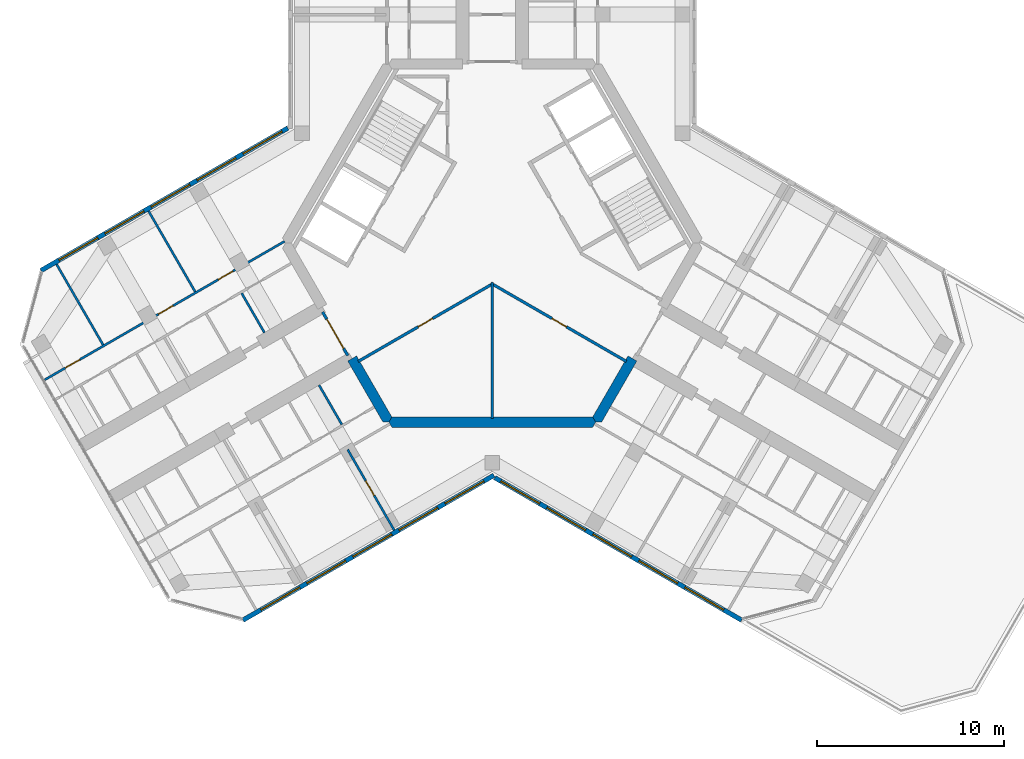
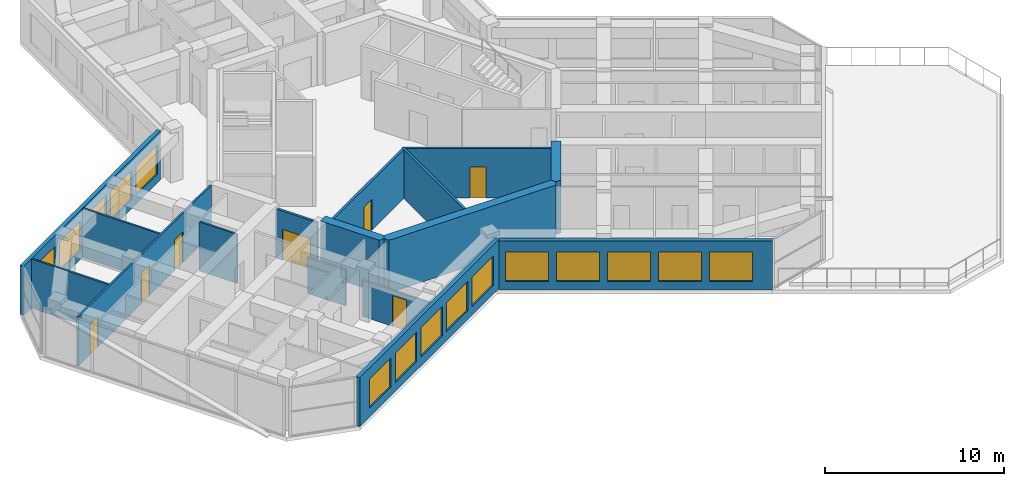
# One storey, part 8 of 14: 16 walls, 15 windows, 7 doors, 22 openings.
"""IFC4 building model written with IfcOpenShell, lengths in metres."""

import ifcopenshell
import ifcopenshell.guid

model = None  # the IFC model being written
_history = None  # IfcOwnerHistory: only IFC2X3 demands one
_inside = {}  # id of a spatial element -> (the spatial element, [elements in it])
_under = {}  # id of a project, library or spatial element -> (it, [spatial elements below it])
_declared = {}  # id of a project -> (the project, [libraries it declares])
_typed = {}  # id of a type object -> (the type object, [elements of that type])
_made_of = {}  # id of a material, layer set ... -> (it, [elements and type objects made of it])


def new_model(schema):
    """Start an empty IFC model of exactly this schema.

    Asked for "IFC4X3", IfcOpenShell would pick the latest addendum, in which some entities
    have other attributes; the version numbers below select the first issue.
    IFC2X3 requires an IfcOwnerHistory on every rooted entity: one is made here for all.
    """
    global model, _history
    if schema == "IFC4X3":
        model = ifcopenshell.file(schema_version=(4, 3, 0, 0))
    else:
        model = ifcopenshell.file(schema=schema)
    _inside.clear()
    _under.clear()
    _declared.clear()
    _typed.clear()
    _made_of.clear()
    _history = None
    if model.schema == "IFC2X3":
        org = make("IfcOrganization", Name="unknown")
        user = make(
            "IfcPersonAndOrganization",
            ThePerson=make("IfcPerson", FamilyName="unknown"),
            TheOrganization=org,
        )
        app = make(
            "IfcApplication",
            ApplicationDeveloper=org,
            Version="unknown",
            ApplicationFullName="unknown",
            ApplicationIdentifier="unknown",
        )
        _history = make(
            "IfcOwnerHistory",
            OwningUser=user,
            OwningApplication=app,
            ChangeAction="ADDED",
            CreationDate=0,
        )
    return model


def make(cls, **values):
    """One entity of the class cls with the attributes given. An attribute that is None is left unset."""
    return model.create_entity(
        cls, **{name: value for name, value in values.items() if value is not None}
    )


def rooted(cls, **values):
    """An entity with a GlobalId (a new one), such as an element, a storey or a relation."""
    return make(cls, GlobalId=ifcopenshell.guid.new(), OwnerHistory=_history, **values)


def si_unit(unit_type, name, prefix=None):
    """IfcSIUnit, for example si_unit("LENGTHUNIT", "METRE", prefix="MILLI")."""
    return make("IfcSIUnit", UnitType=unit_type, Prefix=prefix, Name=name)


def assignment(units):
    """IfcUnitAssignment: the units of a project."""
    return None if units is None else make("IfcUnitAssignment", Units=units)


def point(xyz):
    """IfcCartesianPoint."""
    return None if xyz is None else make("IfcCartesianPoint", Coordinates=xyz)


def direction(xyz):
    """IfcDirection."""
    return None if xyz is None else make("IfcDirection", DirectionRatios=xyz)


def frame(location, z_axis=None, x_axis=None):
    """IfcAxis2Placement3D, a coordinate frame: its origin and axes. An axis left out is left unset."""
    return make(
        "IfcAxis2Placement3D",
        Location=point(location),
        Axis=direction(z_axis),
        RefDirection=direction(x_axis),
    )


def frame_2d(location, x_axis=None):
    """IfcAxis2Placement2D, a coordinate frame in the plane: its origin and x axis."""
    return make(
        "IfcAxis2Placement2D", Location=point(location), RefDirection=direction(x_axis)
    )


def origin():
    """The frame at (0, 0, 0) with its axes left unset."""
    return frame((0.0, 0.0, 0.0))


def place(relative_to, where):
    """IfcLocalPlacement: puts the frame where relative to a parent placement (None: the world)."""
    return make(
        "IfcLocalPlacement", PlacementRelTo=relative_to, RelativePlacement=where
    )


def context(
    kind, dimensions, precision=None, world=None, true_north=None, identifier=None
):
    """IfcGeometricRepresentationContext, for example the 3D "Model" context."""
    return make(
        "IfcGeometricRepresentationContext",
        ContextIdentifier=identifier,
        ContextType=kind,
        CoordinateSpaceDimension=dimensions,
        Precision=precision,
        WorldCoordinateSystem=world,
        TrueNorth=true_north,
    )


def subcontext(parent, identifier, kind, view, scale=None):
    """IfcGeometricRepresentationSubContext, for example "Body" below "Model"."""
    return make(
        "IfcGeometricRepresentationSubContext",
        ContextIdentifier=identifier,
        ContextType=kind,
        ParentContext=parent,
        TargetScale=scale,
        TargetView=view,
    )


def project(units=None, contexts=None):
    """IfcProject with its units and contexts."""
    return rooted(
        "IfcProject",
        Name="project",
        RepresentationContexts=contexts,
        UnitsInContext=assignment(units),
    )


def spatial(cls, under=None, at=None, **own):
    """A site, building, storey or space (cls), placed at a placement, below another one or the project."""
    s = rooted(cls, ObjectPlacement=at, **own)
    if under is not None:
        _under.setdefault(under.id(), (under, []))[1].append(s)
    return s


def polyline(points):
    """IfcPolyline through the points."""
    return make("IfcPolyline", Points=[point(p) for p in points])


def profile(cls, at=None, kind="AREA", **sizes):
    """A parametric profile (cls). Its sizes go by their IFC names, for example OverallWidth=200.0."""
    return make(cls, ProfileType=kind, Position=at, **sizes)


def rectangle(**sizes):
    """IfcRectangleProfileDef."""
    return profile("IfcRectangleProfileDef", **sizes)


def outline(outer, holes=None, kind="AREA"):
    """IfcArbitraryClosedProfileDef: a profile drawn as a closed curve; with holes, ...WithVoids."""
    if holes is None:
        return make("IfcArbitraryClosedProfileDef", ProfileType=kind, OuterCurve=outer)
    return make(
        "IfcArbitraryProfileDefWithVoids",
        ProfileType=kind,
        OuterCurve=outer,
        InnerCurves=holes,
    )


def extrude(swept, where, along, depth):
    """IfcExtrudedAreaSolid: the profile swept, set in the frame where, extruded along a direction by depth."""
    return make(
        "IfcExtrudedAreaSolid",
        SweptArea=swept,
        Position=where,
        ExtrudedDirection=direction(along),
        Depth=depth,
    )


def shape(context_of_items, identifier, shape_type, items):
    """IfcShapeRepresentation: the items that make up one representation, for example the "Body"."""
    return make(
        "IfcShapeRepresentation",
        ContextOfItems=context_of_items,
        RepresentationIdentifier=identifier,
        RepresentationType=shape_type,
        Items=items,
    )


def material(Name=None, Category=None):
    """IfcMaterial."""
    return make("IfcMaterial", Name=Name, Category=Category)


def layer(
    of_material, thickness, ventilated=None, Name=None, Category=None, Priority=None
):
    """IfcMaterialLayer: one layer of a wall or slab, of a material (None: an air gap)."""
    return make(
        "IfcMaterialLayer",
        Material=of_material,
        LayerThickness=thickness,
        IsVentilated=ventilated,
        Name=Name,
        Category=Category,
        Priority=Priority,
    )


def layer_set(layers, Name=None):
    """IfcMaterialLayerSet."""
    return make("IfcMaterialLayerSet", MaterialLayers=layers, LayerSetName=Name)


def made_of(thing, what):
    """Note that an element or type object is made of a material, layer set ...; save() writes the relation."""
    if what is not None:
        _made_of.setdefault(what.id(), (what, []))[1].append(thing)
    return thing


def type_object(cls, material=None, **own):
    """A type object (cls), such as IfcWallType, which elements share."""
    return made_of(rooted(cls, **own), material)


def element(
    cls,
    number,
    at=None,
    inside=None,
    cuts=None,
    type_object=None,
    material=None,
    context=None,
    identifier="Body",
    shape_type=None,
    held_by="IfcProductDefinitionShape",
    body=None,
    shapes=None,
    **own,
):
    """One element of the class cls, such as IfcWall. Its Tag is "e" and its number.

    at: its placement. inside: the storey or other place that contains it. cuts: it is an
    opening in that element (IfcRelVoidsElement). A single representation is given by context,
    identifier, shape_type and body (its items); several are given by shapes. held_by: the class
    of the entity that holds the representations. save() writes the other relations.
    """
    e = rooted(cls, Tag="e%d" % number, ObjectPlacement=at, **own)
    if body is not None:
        shapes = [shape(context, identifier, shape_type, body)]
    if shapes is not None:
        e.Representation = make(held_by, Representations=shapes)
    if inside is not None:
        _inside.setdefault(inside.id(), (inside, []))[1].append(e)
    if cuts is not None:
        rooted(
            "IfcRelVoidsElement", RelatingBuildingElement=cuts, RelatedOpeningElement=e
        )
    if type_object is not None:
        _typed.setdefault(type_object.id(), (type_object, []))[1].append(e)
    return made_of(e, material)


def fill(opening, filler):
    """IfcRelFillsElement: the door or window that sits in an opening."""
    return rooted(
        "IfcRelFillsElement",
        RelatingOpeningElement=opening,
        RelatedBuildingElement=filler,
    )


def aggregate(whole, parts):
    """IfcRelAggregates: a whole, such as a stair, and the parts it consists of."""
    return rooted("IfcRelAggregates", RelatingObject=whole, RelatedObjects=parts)


def save(model, path):
    """Write the relations noted so far, then the file.

    IfcRelAggregates (storeys below a building ...), IfcRelContainedInSpatialStructure (elements
    in a storey), IfcRelDefinesByType, IfcRelAssociatesMaterial and IfcRelDeclares: one each for
    every whole, place, type object, material and project.
    """
    for whole, parts in _under.values():
        aggregate(whole, parts)
    for where, things in _inside.values():
        rooted(
            "IfcRelContainedInSpatialStructure",
            RelatedElements=things,
            RelatingStructure=where,
        )
    for kind, things in _typed.values():
        rooted("IfcRelDefinesByType", RelatedObjects=things, RelatingType=kind)
    for what, things in _made_of.values():
        rooted("IfcRelAssociatesMaterial", RelatedObjects=things, RelatingMaterial=what)
    for by, libraries in _declared.values():
        rooted("IfcRelDeclares", RelatingContext=by, RelatedDefinitions=libraries)
    model.write(path)


model = new_model("IFC4")

# Units and contexts
model_context = context("Model", 3, precision=1e-05, world=origin(), true_north=direction((0.0, 1.0)))
body_context = subcontext(model_context, "Body", "Model", "MODEL_VIEW")
ifc_project = project(units=[si_unit("LENGTHUNIT", "METRE"), si_unit("AREAUNIT", "SQUARE_METRE"), si_unit("VOLUMEUNIT", "CUBIC_METRE"), si_unit("PLANEANGLEUNIT", "RADIAN"), si_unit("MASSUNIT", "GRAM", prefix="KILO")], contexts=[model_context])

# Site, building, storey
site_placement = place(None, origin())
site = spatial("IfcSite", under=ifc_project, at=site_placement, CompositionType="ELEMENT")
building_placement = place(site_placement, origin())
building = spatial("IfcBuilding", under=site, at=building_placement, Name="Kosmar Iwan School Tower", CompositionType="ELEMENT")
storey_placement = place(building_placement, frame((0.0, 0.0, 267.39990234375)))
storey = spatial("IfcBuildingStorey", under=building, at=storey_placement, Name="L67", CompositionType="ELEMENT", Elevation=267.39990234375)

# Wall
ifc_material_1 = material(Name="Gypsum board on steel studs, fire-rated", Category="steel")
ifc_layer_1 = layer(ifc_material_1, 0.14990234375)
ifc_layer_set_1 = layer_set([ifc_layer_1], Name="Core room partition 150")
wall_type_1 = type_object("IfcWallType", Name="Core room partition 150", PredefinedType="PARTITIONING", material=ifc_layer_set_1)
wall_1_placement = place(storey_placement, frame((0.0, -9.39501953125, 0.0), z_axis=(0.0, 0.0, 1.0), x_axis=(0.0, 1.0, 0.0)))
element("IfcWall", 1, at=wall_1_placement, inside=storey, type_object=wall_type_1, Name="Core room partition L67-CW5", PredefinedType="PARTITIONING", context=body_context, shape_type="SweptSolid", body=[
    extrude(rectangle(XDim=7.276123046875, YDim=0.14990234375, at=frame_2d((3.63818359375, 0.0))), origin(), (0.0, 0.0, 1.0), 3.35009765625),
])

# Wall, opening, door
wall_2_placement = place(storey_placement, frame((-0.06494140625, -2.156494140625, 0.0), z_axis=(0.0, 0.0, 1.0), x_axis=(0.866023893041, -0.500002616675, 0.0)))
wall_2 = element("IfcWall", 2, at=wall_2_placement, inside=storey, type_object=wall_type_1, Name="Core room partition L67-CW6", PredefinedType="PARTITIONING", context=body_context, shape_type="SweptSolid", body=[
    extrude(rectangle(XDim=8.373046875, YDim=0.14990234375, at=frame_2d((4.1865234375, 0.0))), origin(), (0.0, 0.0, 1.0), 3.35009765625),
])
opening_1_placement = place(wall_2_placement, frame((3.77197265625, 0.0, 0.0)))
opening_1 = element("IfcOpeningElement", 3, at=opening_1_placement, cuts=wall_2, Name="Opening D14", PredefinedType="OPENING", context=body_context, shape_type="SweptSolid", body=[
    extrude(rectangle(XDim=0.89990234375, YDim=2.10009765625, at=frame_2d((0.449951171875, 1.050048828125))), frame((0.0, 0.0869140625, 0.0), z_axis=(0.0, -1.0, 0.0), x_axis=(1.0, 0.0, 0.0)), (0.0, 0.0, 1.0), 0.173828125),
])
ifc_material_2 = material(Name="Timber fire door in steel frame", Category="steel")
door_type_1 = type_object("IfcDoorType", Name="Core room door 900x2100", OperationType="SINGLE_SWING_LEFT", PredefinedType="DOOR", material=ifc_material_2)
door_1_placement = place(opening_1_placement, origin())
door_1 = element("IfcDoor", 4, at=door_1_placement, inside=storey, type_object=door_type_1, Name="Residents' laundry room door L67 3", OperationType="SINGLE_SWING_RIGHT", OverallHeight=2.10009765625, OverallWidth=0.89990234375, PredefinedType="DOOR", context=body_context, shape_type="SweptSolid", body=[
    extrude(rectangle(XDim=0.89990234375, YDim=2.10009765625, at=frame_2d((0.449951171875, 1.050048828125))), frame((0.0, 0.02490234375, 0.0), z_axis=(0.0, -1.0, 0.0), x_axis=(1.0, 0.0, 0.0)), (0.0, 0.0, 1.0), 0.050048828125),
])
fill(opening_1, door_1)

wall_3_placement = place(storey_placement, frame((-7.186279296875, -6.343017578125, 0.0), z_axis=(0.0, 0.0, 1.0), x_axis=(0.866023893041, 0.500002616675, 0.0)))
wall_3 = element("IfcWall", 5, at=wall_3_placement, inside=storey, type_object=wall_type_1, Name="Core room partition L67-CW7", PredefinedType="PARTITIONING", context=body_context, shape_type="SweptSolid", body=[
    extrude(rectangle(XDim=8.373046875, YDim=0.14990234375, at=frame_2d((4.1865234375, 0.0))), origin(), (0.0, 0.0, 1.0), 3.35009765625),
])
opening_2_placement = place(wall_3_placement, frame((3.701904296875, 0.0, 0.0)))
opening_2 = element("IfcOpeningElement", 6, at=opening_2_placement, cuts=wall_3, Name="Opening D14", PredefinedType="OPENING", context=body_context, shape_type="SweptSolid", body=[
    extrude(rectangle(XDim=0.89990234375, YDim=2.10009765625, at=frame_2d((0.449951171875, 1.050048828125))), frame((0.0, 0.0869140625, 0.0), z_axis=(0.0, -1.0, 0.0), x_axis=(1.0, 0.0, 0.0)), (0.0, 0.0, 1.0), 0.173828125),
])
door_2_placement = place(opening_2_placement, origin())
door_2 = element("IfcDoor", 7, at=door_2_placement, inside=storey, type_object=door_type_1, Name="Parcel room door L67 4", OperationType="SINGLE_SWING_LEFT", OverallHeight=2.10009765625, OverallWidth=0.89990234375, PredefinedType="DOOR", context=body_context, shape_type="SweptSolid", body=[
    extrude(rectangle(XDim=0.89990234375, YDim=2.10009765625, at=frame_2d((0.449951171875, 1.050048828125))), frame((0.0, 0.02490234375, 0.0), z_axis=(0.0, -1.0, 0.0), x_axis=(1.0, 0.0, 0.0)), (0.0, 0.0, 1.0), 0.050048828125),
])
fill(opening_2, door_2)

# Walls
ifc_material_3 = material(Name="Concrete C50/60", Category="concrete")
ifc_layer_2 = layer(ifc_material_3, 0.550048828125)
ifc_layer_set_2 = layer_set([ifc_layer_2], Name="Core wall 550")
wall_type_2 = type_object("IfcWallType", Name="Core wall 550", PredefinedType="SHEAR", material=ifc_layer_set_2)
wall_4_placement = place(storey_placement, origin())
element("IfcWall", 8, at=wall_4_placement, inside=storey, type_object=wall_type_2, Name="Core wall F210b", PredefinedType="SHEAR", context=body_context, shape_type="SweptSolid", body=[
    extrude(outline(polyline([(-5.860107421875, -9.60009765625), (-5.54248046875, -9.60009765625), (-5.3837890625, -9.324951171875), (-7.275634765625, -6.048095703125), (-7.751953125, -6.3232421875), (-5.860107421875, -9.60009765625)])), origin(), (0.0, 0.0, 1.0), 3.60009765625),
])
wall_5_placement = place(storey_placement, origin())
element("IfcWall", 9, at=wall_5_placement, inside=storey, type_object=wall_type_2, Name="Core wall F270", PredefinedType="SHEAR", context=body_context, shape_type="SweptSolid", body=[
    extrude(outline(polyline([(-5.3837890625, -9.875), (5.3837890625, -9.875), (5.54248046875, -9.60009765625), (5.3837890625, -9.324951171875), (-5.3837890625, -9.324951171875), (-5.54248046875, -9.60009765625), (-5.3837890625, -9.875)])), origin(), (0.0, 0.0, 1.0), 3.60009765625),
])
wall_6_placement = place(storey_placement, origin())
element("IfcWall", 10, at=wall_6_placement, inside=storey, type_object=wall_type_2, Name="Core wall F330a", PredefinedType="SHEAR", context=body_context, shape_type="SweptSolid", body=[
    extrude(outline(polyline([(5.54248046875, -9.60009765625), (5.860107421875, -9.60009765625), (7.751953125, -6.3232421875), (7.275634765625, -6.048095703125), (5.3837890625, -9.324951171875), (5.54248046875, -9.60009765625)])), origin(), (0.0, 0.0, 1.0), 3.60009765625),
])

# Wall, opening, door
ifc_material_4 = material(Name="Steel framed glazed screen", Category="steel")
ifc_layer_3 = layer(ifc_material_4, 0.14990234375)
ifc_layer_set_3 = layer_set([ifc_layer_3], Name="Corridor screen wall 150")
wall_type_3 = type_object("IfcWallType", Name="Corridor screen wall 150", PredefinedType="PARTITIONING", material=ifc_layer_set_3)
wall_7_placement = place(storey_placement, frame((-9.09716796875, -3.693359375, 0.0), z_axis=(0.0, 0.0, 1.0), x_axis=(0.50000943426, -0.866019956843, 0.0)))
wall_7 = element("IfcWall", 11, at=wall_7_placement, inside=storey, type_object=wall_type_3, Name="Corridor screen B L67", PredefinedType="PARTITIONING", context=body_context, shape_type="SweptSolid", body=[
    extrude(rectangle(XDim=2.7001953125, YDim=0.14990234375, at=frame_2d((1.35009765625, 0.0))), origin(), (0.0, 0.0, 1.0), 3.35009765625),
])
opening_3_placement = place(wall_7_placement, frame((0.449951171875, 0.0, 0.0)))
opening_3 = element("IfcOpeningElement", 12, at=opening_3_placement, cuts=wall_7, Name="Opening D9", PredefinedType="OPENING", context=body_context, shape_type="SweptSolid", body=[
    extrude(rectangle(XDim=1.800048828125, YDim=2.10009765625, at=frame_2d((0.89990234375, 1.050048828125))), frame((0.0, 0.0869140625, 0.0), z_axis=(0.0, -1.0, 0.0), x_axis=(1.0, 0.0, 0.0)), (0.0, 0.0, 1.0), 0.173828125),
])
ifc_material_5 = material(Name="Steel framed glazed smoke door", Category="steel")
door_type_2 = type_object("IfcDoorType", Name="Corridor smoke door pair 1800x2100", OperationType="DOUBLE_DOOR_DOUBLE_SWING", PredefinedType="DOOR", material=ifc_material_5)
door_3_placement = place(opening_3_placement, origin())
door_3 = element("IfcDoor", 13, at=door_3_placement, inside=storey, type_object=door_type_2, Name="Corridor doors B L67", OperationType="DOUBLE_DOOR_DOUBLE_SWING", OverallHeight=2.10009765625, OverallWidth=1.800048828125, PredefinedType="DOOR", context=body_context, shape_type="SweptSolid", body=[
    extrude(rectangle(XDim=1.800048828125, YDim=2.10009765625, at=frame_2d((0.89990234375, 1.050048828125))), frame((0.0, 0.02490234375, 0.0), z_axis=(0.0, -1.0, 0.0), x_axis=(1.0, 0.0, 0.0)), (0.0, 0.0, 1.0), 0.050048828125),
])
fill(opening_3, door_3)

ifc_material_6 = material(Name="Gypsum board on steel studs", Category="steel")
ifc_layer_4 = layer(ifc_material_6, 0.1201171875)
ifc_layer_set_4 = layer_set([ifc_layer_4], Name="Dwelling partition 120")
wall_type_4 = type_object("IfcWallType", Name="Dwelling partition 120", PredefinedType="PARTITIONING", material=ifc_layer_set_4)
wall_8_placement = place(storey_placement, frame((-7.75390625, -11.070068359375, 0.0), z_axis=(0.0, 0.0, 1.0), x_axis=(0.500011847778, -0.866018563358, 0.0)))
wall_8 = element("IfcWall", 14, at=wall_8_placement, inside=storey, type_object=wall_type_4, Name="Partition L67-BL1-X1", PredefinedType="PARTITIONING", context=body_context, shape_type="SweptSolid", body=[
    extrude(rectangle(XDim=4.990234375, YDim=0.1201171875, at=frame_2d((2.4951171875, 0.0))), origin(), (0.0, 0.0, 1.0), 2.4501953125),
])
opening_4_placement = place(wall_8_placement, frame((1.93994140625, 0.0, 0.0)))
opening_4 = element("IfcOpeningElement", 15, at=opening_4_placement, cuts=wall_8, Name="Opening D2", PredefinedType="OPENING", context=body_context, shape_type="SweptSolid", body=[
    extrude(rectangle(XDim=0.89990234375, YDim=2.10009765625, at=frame_2d((0.449951171875, 1.050048828125))), frame((0.0, 0.072021484375, 0.0), z_axis=(0.0, -1.0, 0.0), x_axis=(1.0, 0.0, 0.0)), (0.0, 0.0, 1.0), 0.14404296875),
])
ifc_material_7 = material(Name="Timber door in timber frame", Category="wood")
door_type_3 = type_object("IfcDoorType", Name="Internal door 900x2100", OperationType="SINGLE_SWING_LEFT", PredefinedType="DOOR", material=ifc_material_7)
door_4_placement = place(opening_4_placement, origin())
door_4 = element("IfcDoor", 16, at=door_4_placement, inside=storey, type_object=door_type_3, Name="Kitchen and dining room door L67-BL1-F1", OperationType="SINGLE_SWING_LEFT", OverallHeight=2.10009765625, OverallWidth=0.89990234375, PredefinedType="DOOR", context=body_context, shape_type="SweptSolid", body=[
    extrude(rectangle(XDim=0.89990234375, YDim=2.10009765625, at=frame_2d((0.449951171875, 1.050048828125))), frame((0.0, 0.02490234375, 0.0), z_axis=(0.0, -1.0, 0.0), x_axis=(1.0, 0.0, 0.0)), (0.0, 0.0, 1.0), 0.050048828125),
])
fill(opening_4, door_4)

# Wall
wall_9_placement = place(storey_placement, frame((-9.287353515625, -7.61376953125, 0.0), z_axis=(0.0, 0.0, 1.0), x_axis=(0.500002508028, -0.866023955769, 0.0)))
element("IfcWall", 17, at=wall_9_placement, inside=storey, type_object=wall_type_4, Name="Partition L67-BL1-Y1", PredefinedType="PARTITIONING", context=body_context, shape_type="SweptSolid", body=[
    extrude(rectangle(XDim=2.43994140625, YDim=0.1201171875, at=frame_2d((1.219970703125, 0.0))), origin(), (0.0, 0.0, 1.0), 2.4501953125),
])

# Wall, openings, doors
wall_10_placement = place(storey_placement, frame((-11.138916015625, 0.093017578125, 0.0), z_axis=(0.0, 0.0, 1.0), x_axis=(-0.866030301974, -0.499991515992, 0.0)))
wall_10 = element("IfcWall", 18, at=wall_10_placement, inside=storey, type_object=wall_type_4, Name="Partition L67-BR1-W2", PredefinedType="PARTITIONING", context=body_context, shape_type="SweptSolid", body=[
    extrude(rectangle(XDim=14.844970703125, YDim=0.1201171875, at=frame_2d((7.42236328125, 0.0))), origin(), (0.0, 0.0, 1.0), 3.35009765625),
])
opening_5_placement = place(wall_10_placement, frame((3.199951171875, 0.0, 0.0)))
opening_5 = element("IfcOpeningElement", 19, at=opening_5_placement, cuts=wall_10, Name="Opening D2", PredefinedType="OPENING", context=body_context, shape_type="SweptSolid", body=[
    extrude(rectangle(XDim=0.89990234375, YDim=2.10009765625, at=frame_2d((0.449951171875, 1.050048828125))), frame((0.0, 0.072021484375, 0.0), z_axis=(0.0, -1.0, 0.0), x_axis=(1.0, 0.0, 0.0)), (0.0, 0.0, 1.0), 0.14404296875),
])
opening_6_placement = place(wall_10_placement, frame((6.89990234375, 0.0, 0.0)))
opening_6 = element("IfcOpeningElement", 20, at=opening_6_placement, cuts=wall_10, Name="Opening D2", PredefinedType="OPENING", context=body_context, shape_type="SweptSolid", body=[
    extrude(rectangle(XDim=0.89990234375, YDim=2.10009765625, at=frame_2d((0.449951171875, 1.050048828125))), frame((0.0, 0.072021484375, 0.0), z_axis=(0.0, -1.0, 0.0), x_axis=(1.0, 0.0, 0.0)), (0.0, 0.0, 1.0), 0.14404296875),
])
opening_7_placement = place(wall_10_placement, frame((12.675048828125, 0.0, 0.0)))
opening_7 = element("IfcOpeningElement", 21, at=opening_7_placement, cuts=wall_10, Name="Opening D2", PredefinedType="OPENING", context=body_context, shape_type="SweptSolid", body=[
    extrude(rectangle(XDim=0.89990234375, YDim=2.10009765625, at=frame_2d((0.449951171875, 1.050048828125))), frame((0.0, 0.072021484375, 0.0), z_axis=(0.0, -1.0, 0.0), x_axis=(1.0, 0.0, 0.0)), (0.0, 0.0, 1.0), 0.14404296875),
])
door_5_placement = place(opening_5_placement, origin())
door_5 = element("IfcDoor", 22, at=door_5_placement, inside=storey, type_object=door_type_3, Name="Dining room door L67-BR1-F1", OperationType="SINGLE_SWING_LEFT", OverallHeight=2.10009765625, OverallWidth=0.89990234375, PredefinedType="DOOR", context=body_context, shape_type="SweptSolid", body=[
    extrude(rectangle(XDim=0.89990234375, YDim=2.10009765625, at=frame_2d((0.449951171875, 1.050048828125))), frame((0.0, 0.02490234375, 0.0), z_axis=(0.0, -1.0, 0.0), x_axis=(1.0, 0.0, 0.0)), (0.0, 0.0, 1.0), 0.050048828125),
])
fill(opening_5, door_5)
door_6_placement = place(opening_6_placement, origin())
door_6 = element("IfcDoor", 23, at=door_6_placement, inside=storey, type_object=door_type_3, Name="Living room and kitchen door L67-BR1-F2", OperationType="SINGLE_SWING_LEFT", OverallHeight=2.10009765625, OverallWidth=0.89990234375, PredefinedType="DOOR", context=body_context, shape_type="SweptSolid", body=[
    extrude(rectangle(XDim=0.89990234375, YDim=2.10009765625, at=frame_2d((0.449951171875, 1.050048828125))), frame((0.0, 0.02490234375, 0.0), z_axis=(0.0, -1.0, 0.0), x_axis=(1.0, 0.0, 0.0)), (0.0, 0.0, 1.0), 0.050048828125),
])
fill(opening_6, door_6)
door_7_placement = place(opening_7_placement, origin())
door_7 = element("IfcDoor", 24, at=door_7_placement, inside=storey, type_object=door_type_3, Name="Bedroom 1 door L67-BR1-F3", OperationType="SINGLE_SWING_RIGHT", OverallHeight=2.10009765625, OverallWidth=0.89990234375, PredefinedType="DOOR", context=body_context, shape_type="SweptSolid", body=[
    extrude(rectangle(XDim=0.89990234375, YDim=2.10009765625, at=frame_2d((0.449951171875, 1.050048828125))), frame((0.0, 0.02490234375, 0.0), z_axis=(0.0, -1.0, 0.0), x_axis=(1.0, 0.0, 0.0)), (0.0, 0.0, 1.0), 0.050048828125),
])
fill(opening_7, door_7)

# Walls
wall_11_placement = place(storey_placement, frame((-15.931884765625, -2.60498046875, 0.0), z_axis=(0.0, 0.0, 1.0), x_axis=(-0.500011847778, 0.866018563358, 0.0)))
element("IfcWall", 25, at=wall_11_placement, inside=storey, type_object=wall_type_4, Name="Partition L67-BR1-X1", PredefinedType="PARTITIONING", context=body_context, shape_type="SweptSolid", body=[
    extrude(rectangle(XDim=4.990234375, YDim=0.1201171875, at=frame_2d((2.4951171875, 0.0))), origin(), (0.0, 0.0, 1.0), 3.35009765625),
])
wall_12_placement = place(storey_placement, frame((-20.868408203125, -5.455078125, 0.0), z_axis=(0.0, 0.0, 1.0), x_axis=(-0.499975153383, 0.86603974851, 0.0)))
element("IfcWall", 26, at=wall_12_placement, inside=storey, type_object=wall_type_4, Name="Partition L67-BR1-X2", PredefinedType="PARTITIONING", context=body_context, shape_type="SweptSolid", body=[
    extrude(rectangle(XDim=4.989990234375, YDim=0.1201171875, at=frame_2d((2.4951171875, 0.0))), origin(), (0.0, 0.0, 1.0), 3.35009765625),
])
wall_13_placement = place(storey_placement, frame((-12.216064453125, -4.80126953125, 0.0), z_axis=(0.0, 0.0, 1.0), x_axis=(-0.500002508028, 0.866023955769, 0.0)))
element("IfcWall", 27, at=wall_13_placement, inside=storey, type_object=wall_type_4, Name="Partition L67-BR1-Y1", PredefinedType="PARTITIONING", context=body_context, shape_type="SweptSolid", body=[
    extrude(rectangle(XDim=2.43994140625, YDim=0.1201171875, at=frame_2d((1.219970703125, 0.0))), origin(), (0.0, 0.0, 1.0), 3.35009765625),
])

# Wall, openings, windows
ifc_material_8 = material(Name="Black aluminium rainscreen on insulated framing", Category="aluminium")
ifc_layer_5 = layer(ifc_material_8, 0.25)
ifc_layer_set_5 = layer_set([ifc_layer_5], Name="External wall rainscreen 250")
wall_type_5 = type_object("IfcWallType", Name="External wall rainscreen 250", PredefinedType="SOLIDWALL", material=ifc_layer_set_5)
wall_14_placement = place(storey_placement, frame((0.088134765625, -12.44873046875, 0.0), z_axis=(0.0, 0.0, 1.0), x_axis=(-0.866029894971, -0.499992220956, 0.0)))
wall_14 = element("IfcWall", 28, at=wall_14_placement, inside=storey, type_object=wall_type_5, Name="External wall BL L67", PredefinedType="SOLIDWALL", context=body_context, shape_type="SweptSolid", body=[
    extrude(rectangle(XDim=15.537353515625, YDim=0.25, at=frame_2d((7.7685546875, 0.0))), origin(), (0.0, 0.0, 1.0), 3.35009765625),
])
opening_8_placement = place(wall_14_placement, frame((0.626953125, 0.0, 0.60009765625)))
opening_8 = element("IfcOpeningElement", 29, at=opening_8_placement, cuts=wall_14, Name="Opening W6", PredefinedType="OPENING", context=body_context, shape_type="SweptSolid", body=[
    extrude(rectangle(XDim=2.39990234375, YDim=2.0, at=frame_2d((1.199951171875, 1.0))), frame((0.0, 0.136962890625, 0.0), z_axis=(0.0, -1.0, 0.0), x_axis=(1.0, 0.0, 0.0)), (0.0, 0.0, 1.0), 0.27392578125),
])
opening_9_placement = place(wall_14_placement, frame((3.47705078125, 0.0, 0.60009765625)))
opening_9 = element("IfcOpeningElement", 30, at=opening_9_placement, cuts=wall_14, Name="Opening W6", PredefinedType="OPENING", context=body_context, shape_type="SweptSolid", body=[
    extrude(rectangle(XDim=2.39990234375, YDim=2.0, at=frame_2d((1.199951171875, 1.0))), frame((0.0, 0.136962890625, 0.0), z_axis=(0.0, -1.0, 0.0), x_axis=(1.0, 0.0, 0.0)), (0.0, 0.0, 1.0), 0.27392578125),
])
opening_10_placement = place(wall_14_placement, frame((6.326904296875, 0.0, 0.60009765625)))
opening_10 = element("IfcOpeningElement", 31, at=opening_10_placement, cuts=wall_14, Name="Opening W6", PredefinedType="OPENING", context=body_context, shape_type="SweptSolid", body=[
    extrude(rectangle(XDim=2.39990234375, YDim=2.0, at=frame_2d((1.199951171875, 1.0))), frame((0.0, 0.136962890625, 0.0), z_axis=(0.0, -1.0, 0.0), x_axis=(1.0, 0.0, 0.0)), (0.0, 0.0, 1.0), 0.27392578125),
])
opening_11_placement = place(wall_14_placement, frame((9.177001953125, 0.0, 0.60009765625)))
opening_11 = element("IfcOpeningElement", 32, at=opening_11_placement, cuts=wall_14, Name="Opening W6", PredefinedType="OPENING", context=body_context, shape_type="SweptSolid", body=[
    extrude(rectangle(XDim=2.39990234375, YDim=2.0, at=frame_2d((1.199951171875, 1.0))), frame((0.0, 0.136962890625, 0.0), z_axis=(0.0, -1.0, 0.0), x_axis=(1.0, 0.0, 0.0)), (0.0, 0.0, 1.0), 0.27392578125),
])
opening_12_placement = place(wall_14_placement, frame((12.027099609375, 0.0, 0.60009765625)))
opening_12 = element("IfcOpeningElement", 33, at=opening_12_placement, cuts=wall_14, Name="Opening W6", PredefinedType="OPENING", context=body_context, shape_type="SweptSolid", body=[
    extrude(rectangle(XDim=2.39990234375, YDim=2.0, at=frame_2d((1.199951171875, 1.0))), frame((0.0, 0.136962890625, 0.0), z_axis=(0.0, -1.0, 0.0), x_axis=(1.0, 0.0, 0.0)), (0.0, 0.0, 1.0), 0.27392578125),
])
ifc_material_9 = material(Name="Black aluminium frame with dark triple glazing", Category="aluminium")
window_type = type_object("IfcWindowType", Name="Window 2400x2000", PartitioningType="SINGLE_PANEL", PredefinedType="WINDOW", material=ifc_material_9)
window_1_placement = place(opening_8_placement, origin())
window_1 = element("IfcWindow", 34, at=window_1_placement, inside=storey, type_object=window_type, Name="Window BL L67 -1", OverallHeight=2.0, OverallWidth=2.39990234375, PartitioningType="SINGLE_PANEL", PredefinedType="WINDOW", context=body_context, shape_type="SweptSolid", body=[
    extrude(rectangle(XDim=2.39990234375, YDim=2.0, at=frame_2d((1.199951171875, 1.0))), frame((0.0, 0.030029296875, 0.0), z_axis=(0.0, -1.0, 0.0), x_axis=(1.0, 0.0, 0.0)), (0.0, 0.0, 1.0), 0.06005859375),
])
fill(opening_8, window_1)
window_2_placement = place(opening_9_placement, origin())
window_2 = element("IfcWindow", 35, at=window_2_placement, inside=storey, type_object=window_type, Name="Window BL L67 0", OverallHeight=2.0, OverallWidth=2.39990234375, PartitioningType="SINGLE_PANEL", PredefinedType="WINDOW", context=body_context, shape_type="SweptSolid", body=[
    extrude(rectangle(XDim=2.39990234375, YDim=2.0, at=frame_2d((1.199951171875, 1.0))), frame((0.0, 0.030029296875, 0.0), z_axis=(0.0, -1.0, 0.0), x_axis=(1.0, 0.0, 0.0)), (0.0, 0.0, 1.0), 0.06005859375),
])
fill(opening_9, window_2)
window_3_placement = place(opening_10_placement, origin())
window_3 = element("IfcWindow", 36, at=window_3_placement, inside=storey, type_object=window_type, Name="Window BL L67 1", OverallHeight=2.0, OverallWidth=2.39990234375, PartitioningType="SINGLE_PANEL", PredefinedType="WINDOW", context=body_context, shape_type="SweptSolid", body=[
    extrude(rectangle(XDim=2.39990234375, YDim=2.0, at=frame_2d((1.199951171875, 1.0))), frame((0.0, 0.030029296875, 0.0), z_axis=(0.0, -1.0, 0.0), x_axis=(1.0, 0.0, 0.0)), (0.0, 0.0, 1.0), 0.06005859375),
])
fill(opening_10, window_3)
window_4_placement = place(opening_11_placement, origin())
window_4 = element("IfcWindow", 37, at=window_4_placement, inside=storey, type_object=window_type, Name="Window BL L67 2", OverallHeight=2.0, OverallWidth=2.39990234375, PartitioningType="SINGLE_PANEL", PredefinedType="WINDOW", context=body_context, shape_type="SweptSolid", body=[
    extrude(rectangle(XDim=2.39990234375, YDim=2.0, at=frame_2d((1.199951171875, 1.0))), frame((0.0, 0.030029296875, 0.0), z_axis=(0.0, -1.0, 0.0), x_axis=(1.0, 0.0, 0.0)), (0.0, 0.0, 1.0), 0.06005859375),
])
fill(opening_11, window_4)
window_5_placement = place(opening_12_placement, origin())
window_5 = element("IfcWindow", 38, at=window_5_placement, inside=storey, type_object=window_type, Name="Window BL L67 3", OverallHeight=2.0, OverallWidth=2.39990234375, PartitioningType="SINGLE_PANEL", PredefinedType="WINDOW", context=body_context, shape_type="SweptSolid", body=[
    extrude(rectangle(XDim=2.39990234375, YDim=2.0, at=frame_2d((1.199951171875, 1.0))), frame((0.0, 0.030029296875, 0.0), z_axis=(0.0, -1.0, 0.0), x_axis=(1.0, 0.0, 0.0)), (0.0, 0.0, 1.0), 0.06005859375),
])
fill(opening_12, window_5)

wall_15_placement = place(storey_placement, frame((0.137939453125, -12.5791015625, 0.0), z_axis=(0.0, 0.0, 1.0), x_axis=(0.866025637253, -0.499999595621, 0.0)))
wall_15 = element("IfcWall", 39, at=wall_15_placement, inside=storey, type_object=wall_type_5, Name="External wall CR L67", PredefinedType="SOLIDWALL", context=body_context, shape_type="SweptSolid", body=[
    extrude(rectangle(XDim=15.2763671875, YDim=0.25, at=frame_2d((7.63818359375, 0.0))), origin(), (0.0, 0.0, 1.0), 3.35009765625),
])
opening_13_placement = place(wall_15_placement, frame((0.365966796875, 0.0, 0.60009765625)))
opening_13 = element("IfcOpeningElement", 40, at=opening_13_placement, cuts=wall_15, Name="Opening W6", PredefinedType="OPENING", context=body_context, shape_type="SweptSolid", body=[
    extrude(rectangle(XDim=2.39990234375, YDim=2.0, at=frame_2d((1.199951171875, 1.0))), frame((0.0, 0.136962890625, 0.0), z_axis=(0.0, -1.0, 0.0), x_axis=(1.0, 0.0, 0.0)), (0.0, 0.0, 1.0), 0.27392578125),
])
opening_14_placement = place(wall_15_placement, frame((3.216064453125, 0.0, 0.60009765625)))
opening_14 = element("IfcOpeningElement", 41, at=opening_14_placement, cuts=wall_15, Name="Opening W6", PredefinedType="OPENING", context=body_context, shape_type="SweptSolid", body=[
    extrude(rectangle(XDim=2.39990234375, YDim=2.0, at=frame_2d((1.199951171875, 1.0))), frame((0.0, 0.136962890625, 0.0), z_axis=(0.0, -1.0, 0.0), x_axis=(1.0, 0.0, 0.0)), (0.0, 0.0, 1.0), 0.27392578125),
])
opening_15_placement = place(wall_15_placement, frame((6.06591796875, 0.0, 0.60009765625)))
opening_15 = element("IfcOpeningElement", 42, at=opening_15_placement, cuts=wall_15, Name="Opening W6", PredefinedType="OPENING", context=body_context, shape_type="SweptSolid", body=[
    extrude(rectangle(XDim=2.39990234375, YDim=2.0, at=frame_2d((1.199951171875, 1.0))), frame((0.0, 0.136962890625, 0.0), z_axis=(0.0, -1.0, 0.0), x_axis=(1.0, 0.0, 0.0)), (0.0, 0.0, 1.0), 0.27392578125),
])
opening_16_placement = place(wall_15_placement, frame((8.916015625, 0.0, 0.60009765625)))
opening_16 = element("IfcOpeningElement", 43, at=opening_16_placement, cuts=wall_15, Name="Opening W6", PredefinedType="OPENING", context=body_context, shape_type="SweptSolid", body=[
    extrude(rectangle(XDim=2.39990234375, YDim=2.0, at=frame_2d((1.199951171875, 1.0))), frame((0.0, 0.136962890625, 0.0), z_axis=(0.0, -1.0, 0.0), x_axis=(1.0, 0.0, 0.0)), (0.0, 0.0, 1.0), 0.27392578125),
])
opening_17_placement = place(wall_15_placement, frame((11.76611328125, 0.0, 0.60009765625)))
opening_17 = element("IfcOpeningElement", 44, at=opening_17_placement, cuts=wall_15, Name="Opening W6", PredefinedType="OPENING", context=body_context, shape_type="SweptSolid", body=[
    extrude(rectangle(XDim=2.39990234375, YDim=2.0, at=frame_2d((1.199951171875, 1.0))), frame((0.0, 0.136962890625, 0.0), z_axis=(0.0, -1.0, 0.0), x_axis=(1.0, 0.0, 0.0)), (0.0, 0.0, 1.0), 0.27392578125),
])
window_6_placement = place(opening_13_placement, origin())
window_6 = element("IfcWindow", 45, at=window_6_placement, inside=storey, type_object=window_type, Name="Window CR L67 -1", OverallHeight=2.0, OverallWidth=2.39990234375, PartitioningType="SINGLE_PANEL", PredefinedType="WINDOW", context=body_context, shape_type="SweptSolid", body=[
    extrude(rectangle(XDim=2.39990234375, YDim=2.0, at=frame_2d((1.199951171875, 1.0))), frame((0.0, 0.030029296875, 0.0), z_axis=(0.0, -1.0, 0.0), x_axis=(1.0, 0.0, 0.0)), (0.0, 0.0, 1.0), 0.06005859375),
])
fill(opening_13, window_6)
window_7_placement = place(opening_14_placement, origin())
window_7 = element("IfcWindow", 46, at=window_7_placement, inside=storey, type_object=window_type, Name="Window CR L67 0", OverallHeight=2.0, OverallWidth=2.39990234375, PartitioningType="SINGLE_PANEL", PredefinedType="WINDOW", context=body_context, shape_type="SweptSolid", body=[
    extrude(rectangle(XDim=2.39990234375, YDim=2.0, at=frame_2d((1.199951171875, 1.0))), frame((0.0, 0.030029296875, 0.0), z_axis=(0.0, -1.0, 0.0), x_axis=(1.0, 0.0, 0.0)), (0.0, 0.0, 1.0), 0.06005859375),
])
fill(opening_14, window_7)
window_8_placement = place(opening_15_placement, origin())
window_8 = element("IfcWindow", 47, at=window_8_placement, inside=storey, type_object=window_type, Name="Window CR L67 1", OverallHeight=2.0, OverallWidth=2.39990234375, PartitioningType="SINGLE_PANEL", PredefinedType="WINDOW", context=body_context, shape_type="SweptSolid", body=[
    extrude(rectangle(XDim=2.39990234375, YDim=2.0, at=frame_2d((1.199951171875, 1.0))), frame((0.0, 0.030029296875, 0.0), z_axis=(0.0, -1.0, 0.0), x_axis=(1.0, 0.0, 0.0)), (0.0, 0.0, 1.0), 0.06005859375),
])
fill(opening_15, window_8)
window_9_placement = place(opening_16_placement, origin())
window_9 = element("IfcWindow", 48, at=window_9_placement, inside=storey, type_object=window_type, Name="Window CR L67 2", OverallHeight=2.0, OverallWidth=2.39990234375, PartitioningType="SINGLE_PANEL", PredefinedType="WINDOW", context=body_context, shape_type="SweptSolid", body=[
    extrude(rectangle(XDim=2.39990234375, YDim=2.0, at=frame_2d((1.199951171875, 1.0))), frame((0.0, 0.030029296875, 0.0), z_axis=(0.0, -1.0, 0.0), x_axis=(1.0, 0.0, 0.0)), (0.0, 0.0, 1.0), 0.06005859375),
])
fill(opening_16, window_9)
window_10_placement = place(opening_17_placement, origin())
window_10 = element("IfcWindow", 49, at=window_10_placement, inside=storey, type_object=window_type, Name="Window CR L67 3", OverallHeight=2.0, OverallWidth=2.39990234375, PartitioningType="SINGLE_PANEL", PredefinedType="WINDOW", context=body_context, shape_type="SweptSolid", body=[
    extrude(rectangle(XDim=2.39990234375, YDim=2.0, at=frame_2d((1.199951171875, 1.0))), frame((0.0, 0.030029296875, 0.0), z_axis=(0.0, -1.0, 0.0), x_axis=(1.0, 0.0, 0.0)), (0.0, 0.0, 1.0), 0.06005859375),
])
fill(opening_17, window_10)

wall_16_placement = place(storey_placement, frame((-10.962890625, 6.170166015625, 0.0), z_axis=(0.0, 0.0, 1.0), x_axis=(-0.866025637253, -0.499999595621, 0.0)))
wall_16 = element("IfcWall", 50, at=wall_16_placement, inside=storey, type_object=wall_type_5, Name="External wall BR L67", PredefinedType="SOLIDWALL", context=body_context, shape_type="SweptSolid", body=[
    extrude(rectangle(XDim=15.2763671875, YDim=0.25, at=frame_2d((7.63818359375, 0.0))), origin(), (0.0, 0.0, 1.0), 3.35009765625),
])
opening_18_placement = place(wall_16_placement, frame((0.365966796875, 0.0, 0.60009765625)))
opening_18 = element("IfcOpeningElement", 51, at=opening_18_placement, cuts=wall_16, Name="Opening W6", PredefinedType="OPENING", context=body_context, shape_type="SweptSolid", body=[
    extrude(rectangle(XDim=2.39990234375, YDim=2.0, at=frame_2d((1.199951171875, 1.0))), frame((0.0, 0.136962890625, 0.0), z_axis=(0.0, -1.0, 0.0), x_axis=(1.0, 0.0, 0.0)), (0.0, 0.0, 1.0), 0.27392578125),
])
opening_19_placement = place(wall_16_placement, frame((3.216064453125, 0.0, 0.60009765625)))
opening_19 = element("IfcOpeningElement", 52, at=opening_19_placement, cuts=wall_16, Name="Opening W6", PredefinedType="OPENING", context=body_context, shape_type="SweptSolid", body=[
    extrude(rectangle(XDim=2.39990234375, YDim=2.0, at=frame_2d((1.199951171875, 1.0))), frame((0.0, 0.136962890625, 0.0), z_axis=(0.0, -1.0, 0.0), x_axis=(1.0, 0.0, 0.0)), (0.0, 0.0, 1.0), 0.27392578125),
])
opening_20_placement = place(wall_16_placement, frame((6.06591796875, 0.0, 0.60009765625)))
opening_20 = element("IfcOpeningElement", 53, at=opening_20_placement, cuts=wall_16, Name="Opening W6", PredefinedType="OPENING", context=body_context, shape_type="SweptSolid", body=[
    extrude(rectangle(XDim=2.39990234375, YDim=2.0, at=frame_2d((1.199951171875, 1.0))), frame((0.0, 0.136962890625, 0.0), z_axis=(0.0, -1.0, 0.0), x_axis=(1.0, 0.0, 0.0)), (0.0, 0.0, 1.0), 0.27392578125),
])
opening_21_placement = place(wall_16_placement, frame((8.916015625, 0.0, 0.60009765625)))
opening_21 = element("IfcOpeningElement", 54, at=opening_21_placement, cuts=wall_16, Name="Opening W6", PredefinedType="OPENING", context=body_context, shape_type="SweptSolid", body=[
    extrude(rectangle(XDim=2.39990234375, YDim=2.0, at=frame_2d((1.199951171875, 1.0))), frame((0.0, 0.136962890625, 0.0), z_axis=(0.0, -1.0, 0.0), x_axis=(1.0, 0.0, 0.0)), (0.0, 0.0, 1.0), 0.27392578125),
])
opening_22_placement = place(wall_16_placement, frame((11.76611328125, 0.0, 0.60009765625)))
opening_22 = element("IfcOpeningElement", 55, at=opening_22_placement, cuts=wall_16, Name="Opening W6", PredefinedType="OPENING", context=body_context, shape_type="SweptSolid", body=[
    extrude(rectangle(XDim=2.39990234375, YDim=2.0, at=frame_2d((1.199951171875, 1.0))), frame((0.0, 0.136962890625, 0.0), z_axis=(0.0, -1.0, 0.0), x_axis=(1.0, 0.0, 0.0)), (0.0, 0.0, 1.0), 0.27392578125),
])
window_11_placement = place(opening_18_placement, origin())
window_11 = element("IfcWindow", 56, at=window_11_placement, inside=storey, type_object=window_type, Name="Window BR L67 -1", OverallHeight=2.0, OverallWidth=2.39990234375, PartitioningType="SINGLE_PANEL", PredefinedType="WINDOW", context=body_context, shape_type="SweptSolid", body=[
    extrude(rectangle(XDim=2.39990234375, YDim=2.0, at=frame_2d((1.199951171875, 1.0))), frame((0.0, 0.030029296875, 0.0), z_axis=(0.0, -1.0, 0.0), x_axis=(1.0, 0.0, 0.0)), (0.0, 0.0, 1.0), 0.06005859375),
])
fill(opening_18, window_11)
window_12_placement = place(opening_19_placement, origin())
window_12 = element("IfcWindow", 57, at=window_12_placement, inside=storey, type_object=window_type, Name="Window BR L67 0", OverallHeight=2.0, OverallWidth=2.39990234375, PartitioningType="SINGLE_PANEL", PredefinedType="WINDOW", context=body_context, shape_type="SweptSolid", body=[
    extrude(rectangle(XDim=2.39990234375, YDim=2.0, at=frame_2d((1.199951171875, 1.0))), frame((0.0, 0.030029296875, 0.0), z_axis=(0.0, -1.0, 0.0), x_axis=(1.0, 0.0, 0.0)), (0.0, 0.0, 1.0), 0.06005859375),
])
fill(opening_19, window_12)
window_13_placement = place(opening_20_placement, origin())
window_13 = element("IfcWindow", 58, at=window_13_placement, inside=storey, type_object=window_type, Name="Window BR L67 1", OverallHeight=2.0, OverallWidth=2.39990234375, PartitioningType="SINGLE_PANEL", PredefinedType="WINDOW", context=body_context, shape_type="SweptSolid", body=[
    extrude(rectangle(XDim=2.39990234375, YDim=2.0, at=frame_2d((1.199951171875, 1.0))), frame((0.0, 0.030029296875, 0.0), z_axis=(0.0, -1.0, 0.0), x_axis=(1.0, 0.0, 0.0)), (0.0, 0.0, 1.0), 0.06005859375),
])
fill(opening_20, window_13)
window_14_placement = place(opening_21_placement, origin())
window_14 = element("IfcWindow", 59, at=window_14_placement, inside=storey, type_object=window_type, Name="Window BR L67 2", OverallHeight=2.0, OverallWidth=2.39990234375, PartitioningType="SINGLE_PANEL", PredefinedType="WINDOW", context=body_context, shape_type="SweptSolid", body=[
    extrude(rectangle(XDim=2.39990234375, YDim=2.0, at=frame_2d((1.199951171875, 1.0))), frame((0.0, 0.030029296875, 0.0), z_axis=(0.0, -1.0, 0.0), x_axis=(1.0, 0.0, 0.0)), (0.0, 0.0, 1.0), 0.06005859375),
])
fill(opening_21, window_14)
window_15_placement = place(opening_22_placement, origin())
window_15 = element("IfcWindow", 60, at=window_15_placement, inside=storey, type_object=window_type, Name="Window BR L67 3", OverallHeight=2.0, OverallWidth=2.39990234375, PartitioningType="SINGLE_PANEL", PredefinedType="WINDOW", context=body_context, shape_type="SweptSolid", body=[
    extrude(rectangle(XDim=2.39990234375, YDim=2.0, at=frame_2d((1.199951171875, 1.0))), frame((0.0, 0.030029296875, 0.0), z_axis=(0.0, -1.0, 0.0), x_axis=(1.0, 0.0, 0.0)), (0.0, 0.0, 1.0), 0.06005859375),
])
fill(opening_22, window_15)

save(model, "model.ifc")
